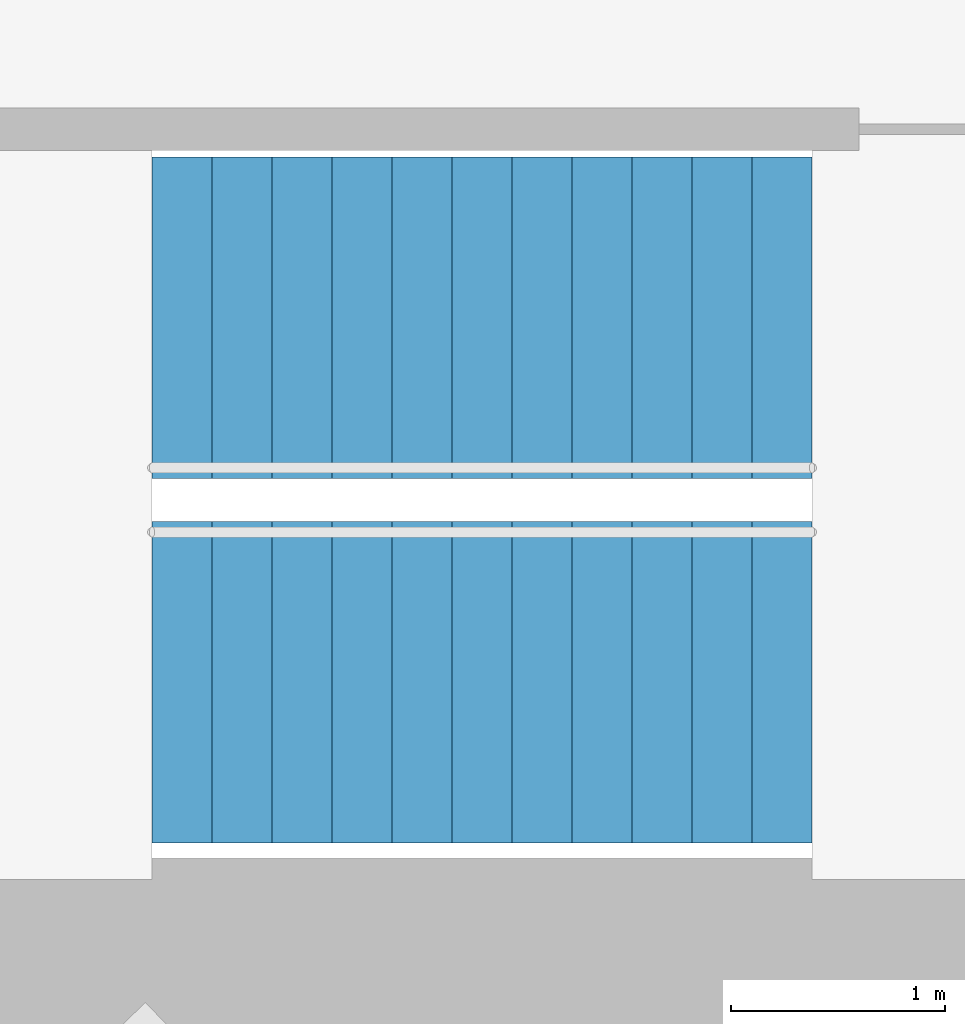
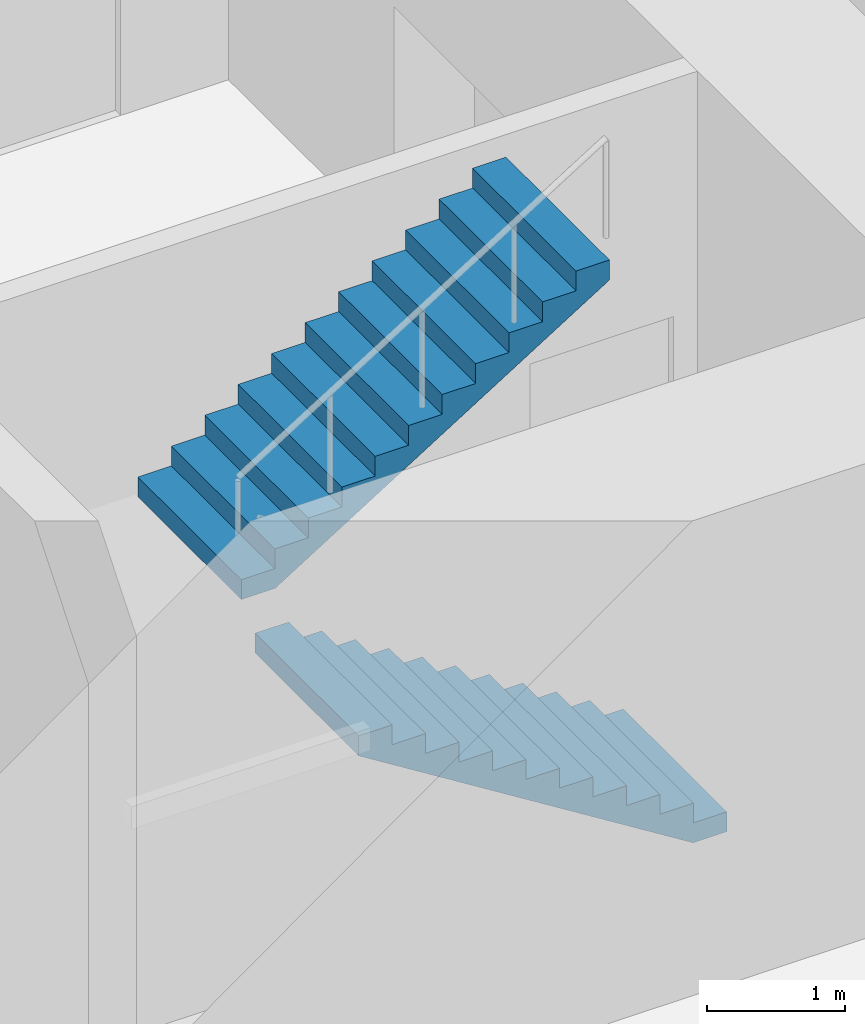
# One storey, part 17 of 18: 2 stair flights, 1 element without a shape of its own.
"""IFC4 building model written with IfcOpenShell, lengths in metres."""

from ifc_helpers import new_model, si_unit, direction, frame, origin, place, context, subcontext, project, spatial, triangles, material, type_object, element, aggregate, save


model = new_model("IFC4")

# Units and contexts
model_context = context("Model", 3, precision=1e-05, world=origin(), true_north=direction((0.0, 1.0)))
body_context = subcontext(model_context, "Body", "Model", "MODEL_VIEW")
ifc_project = project(units=[si_unit("LENGTHUNIT", "METRE"), si_unit("AREAUNIT", "SQUARE_METRE"), si_unit("VOLUMEUNIT", "CUBIC_METRE"), si_unit("PLANEANGLEUNIT", "RADIAN"), si_unit("MASSUNIT", "GRAM", prefix="KILO")], contexts=[model_context])

# Site, building, storey
site_placement = place(None, origin())
site = spatial("IfcSite", under=ifc_project, at=site_placement, CompositionType="ELEMENT")
building_placement = place(site_placement, origin())
building = spatial("IfcBuilding", under=site, at=building_placement, Name="Lantaw Convention Tower", CompositionType="ELEMENT")
storey_placement = place(building_placement, frame((0.0, 0.0, 167.800048828125)))
storey = spatial("IfcBuildingStorey", under=building, at=storey_placement, Name="L39", CompositionType="ELEMENT", Elevation=167.800048828125)

# Stair, stair flights
ifc_material = material(Name="Concrete C35/45", Category="concrete")
stair_type = type_object("IfcStairType", Name="Exit stair 1500 riser 175 in 2 flights", PredefinedType="HALF_TURN_STAIR", material=ifc_material)
stair_placement = place(storey_placement, origin())
stair = element("IfcStair", 1, at=stair_placement, inside=storey, type_object=stair_type, Name="Exit stair S2 L39", PredefinedType="HALF_TURN_STAIR")
stair_flight_type = type_object("IfcStairFlightType", Name="Stair flight 1500 riser 175", PredefinedType="STRAIGHT", material=ifc_material)
stair_flight_1_placement = place(storey_placement, frame((10.580078125, -5.97998046875, 0.0), z_axis=(0.0, 0.0, 1.0), x_axis=(-1.0, 0.0, 0.0)))
stair_flight_1 = element("IfcStairFlight", 2, at=stair_flight_1_placement, type_object=stair_flight_type, Name="S2 flight 1", NumberOfRisers=12, NumberOfTreads=11, PredefinedType="STRAIGHT", RiserHeight=0.175, TreadLength=0.28, context=body_context, shape_type="Tessellation", body=[
    triangles([(0.0, 0.75, 0.0), (0.0, 0.75, 0.175), (0.28, 0.75, 0.0), (0.28, 0.75, 0.175), (0.28, 0.75, 0.35), (0.28283517651771284, 0.75, 0.0), (0.28283517651771284, 0.75, 0.35), (0.56, 0.75, 0.17322801467642948), (0.56, 0.75, 0.35), (0.56, 0.75, 0.5249999999999999), (0.8400000000000001, 0.75, 0.34822801467642944), (0.8400000000000001, 0.75, 0.5249999999999999), (0.8400000000000001, 0.75, 0.7), (1.12, 0.75, 0.5232280146764294), (1.12, 0.75, 0.7), (1.12, 0.75, 0.875), (1.4000000000000001, 0.75, 0.6982280146764295), (1.4000000000000001, 0.75, 0.875), (1.4000000000000001, 0.75, 1.0499999999999998), (1.6800000000000002, 0.75, 0.8732280146764294), (1.6800000000000002, 0.75, 1.0499999999999998), (1.6800000000000002, 0.75, 1.2249999999999999), (1.9600000000000002, 0.75, 1.0482280146764293), (1.9600000000000002, 0.75, 1.2249999999999999), (1.9600000000000002, 0.75, 1.4), (2.24, 0.75, 1.2232280146764294), (2.24, 0.75, 1.4), (2.24, 0.75, 1.575), (2.5200000000000005, 0.75, 1.3982280146764294), (2.5200000000000005, 0.75, 1.575), (2.5200000000000005, 0.75, 1.75), (2.8000000000000003, 0.75, 1.5732280146764293), (2.8000000000000003, 0.75, 1.75), (2.8000000000000003, 0.75, 1.9249999999999998), (3.08, 0.75, 1.7482280146764293), (3.08, 0.75, 1.9249999999999998), (0.0, -0.75, 0.0), (0.0, -0.75, 0.175), (0.28, -0.75, 0.0), (0.28, -0.75, 0.175), (0.28, -0.75, 0.35), (0.28283517651771284, -0.75, 0.0), (0.28283517651771284, -0.75, 0.35), (0.56, -0.75, 0.17322801467642948), (0.56, -0.75, 0.35), (0.56, -0.75, 0.5249999999999999), (0.8400000000000001, -0.75, 0.34822801467642944), (0.8400000000000001, -0.75, 0.5249999999999999), (0.8400000000000001, -0.75, 0.7), (1.12, -0.75, 0.5232280146764294), (1.12, -0.75, 0.7), (1.12, -0.75, 0.875), (1.4000000000000001, -0.75, 0.6982280146764295), (1.4000000000000001, -0.75, 0.875), (1.4000000000000001, -0.75, 1.0499999999999998), (1.6800000000000002, -0.75, 0.8732280146764294), (1.6800000000000002, -0.75, 1.0499999999999998), (1.6800000000000002, -0.75, 1.2249999999999999), (1.9600000000000002, -0.75, 1.0482280146764293), (1.9600000000000002, -0.75, 1.2249999999999999), (1.9600000000000002, -0.75, 1.4), (2.24, -0.75, 1.2232280146764294), (2.24, -0.75, 1.4), (2.24, -0.75, 1.575), (2.5200000000000005, -0.75, 1.3982280146764294), (2.5200000000000005, -0.75, 1.575), (2.5200000000000005, -0.75, 1.75), (2.8000000000000003, -0.75, 1.5732280146764293), (2.8000000000000003, -0.75, 1.75), (2.8000000000000003, -0.75, 1.9249999999999998), (3.08, -0.75, 1.7482280146764293), (3.08, -0.75, 1.9249999999999998), (0.0, 0.15000000000000002, 0.175), (0.0, 0.15000000000000002, 0.0), (0.0, 0.0, 0.175), (0.0, 0.0, 0.0), (0.0, -0.15000000000000002, 0.175), (0.0, -0.15000000000000002, 0.0), (0.28, 0.15000000000000002, 0.35), (0.28, 0.15000000000000002, 0.175), (0.28, 0.0, 0.35), (0.28, 0.0, 0.175), (0.28, -0.15000000000000002, 0.35), (0.28, -0.15000000000000002, 0.175), (0.56, 0.15000000000000002, 0.5249999999999999), (0.56, 0.15000000000000002, 0.35), (0.56, 0.0, 0.5249999999999999), (0.56, 0.0, 0.35), (0.56, -0.15000000000000002, 0.5249999999999999), (0.56, -0.15000000000000002, 0.35), (0.8400000000000001, 0.15000000000000002, 0.7), (0.8400000000000001, 0.15000000000000002, 0.5249999999999999), (0.8400000000000001, 0.0, 0.7), (0.8400000000000001, 0.0, 0.5249999999999999), (0.8400000000000001, -0.15000000000000002, 0.7), (0.8400000000000001, -0.15000000000000002, 0.5249999999999999), (1.12, 0.15000000000000002, 0.875), (1.12, 0.15000000000000002, 0.7), (1.12, 0.0, 0.875), (1.12, 0.0, 0.7), (1.12, -0.15000000000000002, 0.875), (1.12, -0.15000000000000002, 0.7), (1.4000000000000001, 0.15000000000000002, 1.0499999999999998), (1.4000000000000001, 0.15000000000000002, 0.875), (1.4000000000000001, 0.0, 1.0499999999999998), (1.4000000000000001, 0.0, 0.875), (1.4000000000000001, -0.15000000000000002, 1.0499999999999998), (1.4000000000000001, -0.15000000000000002, 0.875), (1.6800000000000002, 0.15000000000000002, 1.2249999999999999), (1.6800000000000002, 0.15000000000000002, 1.0499999999999998), (1.6800000000000002, 0.0, 1.2249999999999999), (1.6800000000000002, 0.0, 1.0499999999999998), (1.6800000000000002, -0.15000000000000002, 1.2249999999999999), (1.6800000000000002, -0.15000000000000002, 1.0499999999999998), (1.9600000000000002, 0.15000000000000002, 1.4), (1.9600000000000002, 0.15000000000000002, 1.2249999999999999), (1.9600000000000002, 0.0, 1.4), (1.9600000000000002, 0.0, 1.2249999999999999), (1.9600000000000002, -0.15000000000000002, 1.4), (1.9600000000000002, -0.15000000000000002, 1.2249999999999999), (2.24, 0.15000000000000002, 1.575), (2.24, 0.15000000000000002, 1.4), (2.24, 0.0, 1.575), (2.24, 0.0, 1.4), (2.24, -0.15000000000000002, 1.575), (2.24, -0.15000000000000002, 1.4), (2.5200000000000005, 0.15000000000000002, 1.75), (2.5200000000000005, 0.15000000000000002, 1.575), (2.5200000000000005, 0.0, 1.75), (2.5200000000000005, 0.0, 1.575), (2.5200000000000005, -0.15000000000000002, 1.75), (2.5200000000000005, -0.15000000000000002, 1.575), (2.8000000000000003, 0.15000000000000002, 1.9249999999999998), (2.8000000000000003, 0.15000000000000002, 1.75), (2.8000000000000003, 0.0, 1.9249999999999998), (2.8000000000000003, 0.0, 1.75), (2.8000000000000003, -0.15000000000000002, 1.9249999999999998), (2.8000000000000003, -0.15000000000000002, 1.75), (0.28283517651771284, 0.15000000000000002, 0.35), (0.28283517651771284, 0.0, 0.35), (0.28283517651771284, -0.15000000000000002, 0.35), (3.08, 0.15000000000000002, 1.9249999999999998), (3.08, 0.0, 1.9249999999999998), (3.08, -0.15000000000000002, 1.9249999999999998), (3.08, 0.15000000000000002, 1.7482280146764293), (3.08, 0.0, 1.7482280146764293), (3.08, -0.15000000000000002, 1.7482280146764293), (2.8000000000000003, 0.15000000000000002, 1.5732280146764293), (2.8000000000000003, 0.0, 1.5732280146764293), (2.8000000000000003, -0.15000000000000002, 1.5732280146764293), (2.5200000000000005, 0.15000000000000002, 1.3982280146764294), (2.5200000000000005, 0.0, 1.3982280146764294), (2.5200000000000005, -0.15000000000000002, 1.3982280146764294), (2.24, 0.15000000000000002, 1.2232280146764294), (2.24, 0.0, 1.2232280146764294), (2.24, -0.15000000000000002, 1.2232280146764294), (1.9600000000000002, 0.15000000000000002, 1.0482280146764293), (1.9600000000000002, 0.0, 1.0482280146764293), (1.9600000000000002, -0.15000000000000002, 1.0482280146764293), (1.6800000000000002, 0.15000000000000002, 0.8732280146764294), (1.6800000000000002, 0.0, 0.8732280146764294), (1.6800000000000002, -0.15000000000000002, 0.8732280146764294), (1.4000000000000001, 0.15000000000000002, 0.6982280146764295), (1.4000000000000001, 0.0, 0.6982280146764295), (1.4000000000000001, -0.15000000000000002, 0.6982280146764295), (1.12, 0.15000000000000002, 0.5232280146764294), (1.12, 0.0, 0.5232280146764294), (1.12, -0.15000000000000002, 0.5232280146764294), (0.8400000000000001, 0.15000000000000002, 0.34822801467642944), (0.8400000000000001, 0.0, 0.34822801467642944), (0.8400000000000001, -0.15000000000000002, 0.34822801467642944), (0.56, 0.15000000000000002, 0.17322801467642948), (0.56, 0.0, 0.17322801467642948), (0.56, -0.15000000000000002, 0.17322801467642948), (0.28283517651771284, 0.15000000000000002, 0.0), (0.28283517651771284, 0.0, 0.0), (0.28283517651771284, -0.15000000000000002, 0.0), (0.28, 0.15000000000000002, 0.0), (0.28, 0.0, 0.0), (0.28, -0.15000000000000002, 0.0)], [[1, 4, 3], [1, 2, 4], [3, 4, 6], [4, 7, 6], [4, 5, 7], [6, 9, 8], [6, 7, 9], [8, 9, 11], [9, 12, 11], [9, 10, 12], [11, 12, 14], [12, 15, 14], [12, 13, 15], [14, 15, 17], [15, 18, 17], [15, 16, 18], [17, 18, 20], [18, 21, 20], [18, 19, 21], [20, 21, 23], [21, 24, 23], [21, 22, 24], [23, 24, 26], [24, 27, 26], [24, 25, 27], [26, 27, 29], [27, 30, 29], [27, 28, 30], [29, 30, 32], [30, 33, 32], [30, 31, 33], [32, 33, 35], [33, 36, 35], [33, 34, 36], [37, 39, 40], [37, 40, 38], [39, 42, 40], [40, 42, 43], [40, 43, 41], [42, 44, 45], [42, 45, 43], [44, 47, 45], [45, 47, 48], [45, 48, 46], [47, 50, 48], [48, 50, 51], [48, 51, 49], [50, 53, 51], [51, 53, 54], [51, 54, 52], [53, 56, 54], [54, 56, 57], [54, 57, 55], [56, 59, 57], [57, 59, 60], [57, 60, 58], [59, 62, 60], [60, 62, 63], [60, 63, 61], [62, 65, 63], [63, 65, 66], [63, 66, 64], [65, 68, 66], [66, 68, 69], [66, 69, 67], [68, 71, 69], [69, 71, 72], [69, 72, 70], [1, 73, 2], [1, 74, 73], [74, 75, 73], [74, 76, 75], [76, 77, 75], [76, 78, 77], [78, 38, 77], [78, 37, 38], [4, 79, 5], [4, 80, 79], [80, 81, 79], [80, 82, 81], [82, 83, 81], [82, 84, 83], [84, 41, 83], [84, 40, 41], [9, 85, 10], [9, 86, 85], [86, 87, 85], [86, 88, 87], [88, 89, 87], [88, 90, 89], [90, 46, 89], [90, 45, 46], [12, 91, 13], [12, 92, 91], [92, 93, 91], [92, 94, 93], [94, 95, 93], [94, 96, 95], [96, 49, 95], [96, 48, 49], [15, 97, 16], [15, 98, 97], [98, 99, 97], [98, 100, 99], [100, 101, 99], [100, 102, 101], [102, 52, 101], [102, 51, 52], [18, 103, 19], [18, 104, 103], [104, 105, 103], [104, 106, 105], [106, 107, 105], [106, 108, 107], [108, 55, 107], [108, 54, 55], [21, 109, 22], [21, 110, 109], [110, 111, 109], [110, 112, 111], [112, 113, 111], [112, 114, 113], [114, 58, 113], [114, 57, 58], [24, 115, 25], [24, 116, 115], [116, 117, 115], [116, 118, 117], [118, 119, 117], [118, 120, 119], [120, 61, 119], [120, 60, 61], [27, 121, 28], [27, 122, 121], [122, 123, 121], [122, 124, 123], [124, 125, 123], [124, 126, 125], [126, 64, 125], [126, 63, 64], [30, 127, 31], [30, 128, 127], [128, 129, 127], [128, 130, 129], [130, 131, 129], [130, 132, 131], [132, 67, 131], [132, 66, 67], [33, 133, 34], [33, 134, 133], [134, 135, 133], [134, 136, 135], [136, 137, 135], [136, 138, 137], [138, 70, 137], [138, 69, 70], [2, 80, 4], [2, 73, 80], [73, 82, 80], [73, 75, 82], [75, 84, 82], [75, 77, 84], [77, 40, 84], [77, 38, 40], [5, 139, 7], [5, 79, 139], [79, 140, 139], [79, 81, 140], [81, 141, 140], [81, 83, 141], [83, 43, 141], [83, 41, 43], [7, 86, 9], [7, 139, 86], [139, 88, 86], [139, 140, 88], [140, 90, 88], [140, 141, 90], [141, 45, 90], [141, 43, 45], [10, 92, 12], [10, 85, 92], [85, 94, 92], [85, 87, 94], [87, 96, 94], [87, 89, 96], [89, 48, 96], [89, 46, 48], [13, 98, 15], [13, 91, 98], [91, 100, 98], [91, 93, 100], [93, 102, 100], [93, 95, 102], [95, 51, 102], [95, 49, 51], [16, 104, 18], [16, 97, 104], [97, 106, 104], [97, 99, 106], [99, 108, 106], [99, 101, 108], [101, 54, 108], [101, 52, 54], [19, 110, 21], [19, 103, 110], [103, 112, 110], [103, 105, 112], [105, 114, 112], [105, 107, 114], [107, 57, 114], [107, 55, 57], [22, 116, 24], [22, 109, 116], [109, 118, 116], [109, 111, 118], [111, 120, 118], [111, 113, 120], [113, 60, 120], [113, 58, 60], [25, 122, 27], [25, 115, 122], [115, 124, 122], [115, 117, 124], [117, 126, 124], [117, 119, 126], [119, 63, 126], [119, 61, 63], [28, 128, 30], [28, 121, 128], [121, 130, 128], [121, 123, 130], [123, 132, 130], [123, 125, 132], [125, 66, 132], [125, 64, 66], [31, 134, 33], [31, 127, 134], [127, 136, 134], [127, 129, 136], [129, 138, 136], [129, 131, 138], [131, 69, 138], [131, 67, 69], [34, 142, 36], [34, 133, 142], [133, 143, 142], [133, 135, 143], [135, 144, 143], [135, 137, 144], [137, 72, 144], [137, 70, 72], [36, 145, 35], [36, 142, 145], [142, 146, 145], [142, 143, 146], [143, 147, 146], [143, 144, 147], [144, 71, 147], [144, 72, 71], [35, 148, 32], [35, 145, 148], [145, 149, 148], [145, 146, 149], [146, 150, 149], [146, 147, 150], [147, 68, 150], [147, 71, 68], [32, 151, 29], [32, 148, 151], [148, 152, 151], [148, 149, 152], [149, 153, 152], [149, 150, 153], [150, 65, 153], [150, 68, 65], [29, 154, 26], [29, 151, 154], [151, 155, 154], [151, 152, 155], [152, 156, 155], [152, 153, 156], [153, 62, 156], [153, 65, 62], [26, 157, 23], [26, 154, 157], [154, 158, 157], [154, 155, 158], [155, 159, 158], [155, 156, 159], [156, 59, 159], [156, 62, 59], [23, 160, 20], [23, 157, 160], [157, 161, 160], [157, 158, 161], [158, 162, 161], [158, 159, 162], [159, 56, 162], [159, 59, 56], [20, 163, 17], [20, 160, 163], [160, 164, 163], [160, 161, 164], [161, 165, 164], [161, 162, 165], [162, 53, 165], [162, 56, 53], [17, 166, 14], [17, 163, 166], [163, 167, 166], [163, 164, 167], [164, 168, 167], [164, 165, 168], [165, 50, 168], [165, 53, 50], [14, 169, 11], [14, 166, 169], [166, 170, 169], [166, 167, 170], [167, 171, 170], [167, 168, 171], [168, 47, 171], [168, 50, 47], [11, 172, 8], [11, 169, 172], [169, 173, 172], [169, 170, 173], [170, 174, 173], [170, 171, 174], [171, 44, 174], [171, 47, 44], [8, 175, 6], [8, 172, 175], [172, 176, 175], [172, 173, 176], [173, 177, 176], [173, 174, 177], [174, 42, 177], [174, 44, 42], [6, 178, 3], [6, 175, 178], [175, 179, 178], [175, 176, 179], [176, 180, 179], [176, 177, 180], [177, 39, 180], [177, 42, 39], [3, 74, 1], [3, 178, 74], [178, 76, 74], [178, 179, 76], [179, 78, 76], [179, 180, 78], [180, 37, 78], [180, 39, 37]], closed=True),
])
stair_flight_2_placement = place(storey_placement, frame((7.5, -4.280029296875, 2.099853515625), z_axis=(0.0, 0.0, 1.0), x_axis=(1.0, 0.0, 0.0)))
stair_flight_2 = element("IfcStairFlight", 3, at=stair_flight_2_placement, type_object=stair_flight_type, Name="S2 flight 2", NumberOfRisers=12, NumberOfTreads=11, PredefinedType="STRAIGHT", RiserHeight=0.175, TreadLength=0.28, context=body_context, shape_type="Tessellation", body=[
    triangles([(0.0, 0.75, 0.0), (0.0, 0.75, 0.175), (0.28, 0.75, 0.0), (0.28, 0.75, 0.175), (0.28, 0.75, 0.35), (0.28283517651771284, 0.75, 0.0), (0.28283517651771284, 0.75, 0.35), (0.56, 0.75, 0.17322801467642948), (0.56, 0.75, 0.35), (0.56, 0.75, 0.5249999999999999), (0.8400000000000001, 0.75, 0.34822801467642944), (0.8400000000000001, 0.75, 0.5249999999999999), (0.8400000000000001, 0.75, 0.7), (1.12, 0.75, 0.5232280146764294), (1.12, 0.75, 0.7), (1.12, 0.75, 0.875), (1.4000000000000001, 0.75, 0.6982280146764295), (1.4000000000000001, 0.75, 0.875), (1.4000000000000001, 0.75, 1.0499999999999998), (1.6800000000000002, 0.75, 0.8732280146764294), (1.6800000000000002, 0.75, 1.0499999999999998), (1.6800000000000002, 0.75, 1.2249999999999999), (1.9600000000000002, 0.75, 1.0482280146764293), (1.9600000000000002, 0.75, 1.2249999999999999), (1.9600000000000002, 0.75, 1.4), (2.24, 0.75, 1.2232280146764294), (2.24, 0.75, 1.4), (2.24, 0.75, 1.575), (2.5200000000000005, 0.75, 1.3982280146764294), (2.5200000000000005, 0.75, 1.575), (2.5200000000000005, 0.75, 1.75), (2.8000000000000003, 0.75, 1.5732280146764293), (2.8000000000000003, 0.75, 1.75), (2.8000000000000003, 0.75, 1.9249999999999998), (3.08, 0.75, 1.7482280146764293), (3.08, 0.75, 1.9249999999999998), (0.0, -0.75, 0.0), (0.0, -0.75, 0.175), (0.28, -0.75, 0.0), (0.28, -0.75, 0.175), (0.28, -0.75, 0.35), (0.28283517651771284, -0.75, 0.0), (0.28283517651771284, -0.75, 0.35), (0.56, -0.75, 0.17322801467642948), (0.56, -0.75, 0.35), (0.56, -0.75, 0.5249999999999999), (0.8400000000000001, -0.75, 0.34822801467642944), (0.8400000000000001, -0.75, 0.5249999999999999), (0.8400000000000001, -0.75, 0.7), (1.12, -0.75, 0.5232280146764294), (1.12, -0.75, 0.7), (1.12, -0.75, 0.875), (1.4000000000000001, -0.75, 0.6982280146764295), (1.4000000000000001, -0.75, 0.875), (1.4000000000000001, -0.75, 1.0499999999999998), (1.6800000000000002, -0.75, 0.8732280146764294), (1.6800000000000002, -0.75, 1.0499999999999998), (1.6800000000000002, -0.75, 1.2249999999999999), (1.9600000000000002, -0.75, 1.0482280146764293), (1.9600000000000002, -0.75, 1.2249999999999999), (1.9600000000000002, -0.75, 1.4), (2.24, -0.75, 1.2232280146764294), (2.24, -0.75, 1.4), (2.24, -0.75, 1.575), (2.5200000000000005, -0.75, 1.3982280146764294), (2.5200000000000005, -0.75, 1.575), (2.5200000000000005, -0.75, 1.75), (2.8000000000000003, -0.75, 1.5732280146764293), (2.8000000000000003, -0.75, 1.75), (2.8000000000000003, -0.75, 1.9249999999999998), (3.08, -0.75, 1.7482280146764293), (3.08, -0.75, 1.9249999999999998), (0.0, 0.15000000000000002, 0.175), (0.0, 0.15000000000000002, 0.0), (0.0, 0.0, 0.175), (0.0, 0.0, 0.0), (0.0, -0.15000000000000002, 0.175), (0.0, -0.15000000000000002, 0.0), (0.28, 0.15000000000000002, 0.35), (0.28, 0.15000000000000002, 0.175), (0.28, 0.0, 0.35), (0.28, 0.0, 0.175), (0.28, -0.15000000000000002, 0.35), (0.28, -0.15000000000000002, 0.175), (0.56, 0.15000000000000002, 0.5249999999999999), (0.56, 0.15000000000000002, 0.35), (0.56, 0.0, 0.5249999999999999), (0.56, 0.0, 0.35), (0.56, -0.15000000000000002, 0.5249999999999999), (0.56, -0.15000000000000002, 0.35), (0.8400000000000001, 0.15000000000000002, 0.7), (0.8400000000000001, 0.15000000000000002, 0.5249999999999999), (0.8400000000000001, 0.0, 0.7), (0.8400000000000001, 0.0, 0.5249999999999999), (0.8400000000000001, -0.15000000000000002, 0.7), (0.8400000000000001, -0.15000000000000002, 0.5249999999999999), (1.12, 0.15000000000000002, 0.875), (1.12, 0.15000000000000002, 0.7), (1.12, 0.0, 0.875), (1.12, 0.0, 0.7), (1.12, -0.15000000000000002, 0.875), (1.12, -0.15000000000000002, 0.7), (1.4000000000000001, 0.15000000000000002, 1.0499999999999998), (1.4000000000000001, 0.15000000000000002, 0.875), (1.4000000000000001, 0.0, 1.0499999999999998), (1.4000000000000001, 0.0, 0.875), (1.4000000000000001, -0.15000000000000002, 1.0499999999999998), (1.4000000000000001, -0.15000000000000002, 0.875), (1.6800000000000002, 0.15000000000000002, 1.2249999999999999), (1.6800000000000002, 0.15000000000000002, 1.0499999999999998), (1.6800000000000002, 0.0, 1.2249999999999999), (1.6800000000000002, 0.0, 1.0499999999999998), (1.6800000000000002, -0.15000000000000002, 1.2249999999999999), (1.6800000000000002, -0.15000000000000002, 1.0499999999999998), (1.9600000000000002, 0.15000000000000002, 1.4), (1.9600000000000002, 0.15000000000000002, 1.2249999999999999), (1.9600000000000002, 0.0, 1.4), (1.9600000000000002, 0.0, 1.2249999999999999), (1.9600000000000002, -0.15000000000000002, 1.4), (1.9600000000000002, -0.15000000000000002, 1.2249999999999999), (2.24, 0.15000000000000002, 1.575), (2.24, 0.15000000000000002, 1.4), (2.24, 0.0, 1.575), (2.24, 0.0, 1.4), (2.24, -0.15000000000000002, 1.575), (2.24, -0.15000000000000002, 1.4), (2.5200000000000005, 0.15000000000000002, 1.75), (2.5200000000000005, 0.15000000000000002, 1.575), (2.5200000000000005, 0.0, 1.75), (2.5200000000000005, 0.0, 1.575), (2.5200000000000005, -0.15000000000000002, 1.75), (2.5200000000000005, -0.15000000000000002, 1.575), (2.8000000000000003, 0.15000000000000002, 1.9249999999999998), (2.8000000000000003, 0.15000000000000002, 1.75), (2.8000000000000003, 0.0, 1.9249999999999998), (2.8000000000000003, 0.0, 1.75), (2.8000000000000003, -0.15000000000000002, 1.9249999999999998), (2.8000000000000003, -0.15000000000000002, 1.75), (0.28283517651771284, 0.15000000000000002, 0.35), (0.28283517651771284, 0.0, 0.35), (0.28283517651771284, -0.15000000000000002, 0.35), (3.08, 0.15000000000000002, 1.9249999999999998), (3.08, 0.0, 1.9249999999999998), (3.08, -0.15000000000000002, 1.9249999999999998), (3.08, 0.15000000000000002, 1.7482280146764293), (3.08, 0.0, 1.7482280146764293), (3.08, -0.15000000000000002, 1.7482280146764293), (2.8000000000000003, 0.15000000000000002, 1.5732280146764293), (2.8000000000000003, 0.0, 1.5732280146764293), (2.8000000000000003, -0.15000000000000002, 1.5732280146764293), (2.5200000000000005, 0.15000000000000002, 1.3982280146764294), (2.5200000000000005, 0.0, 1.3982280146764294), (2.5200000000000005, -0.15000000000000002, 1.3982280146764294), (2.24, 0.15000000000000002, 1.2232280146764294), (2.24, 0.0, 1.2232280146764294), (2.24, -0.15000000000000002, 1.2232280146764294), (1.9600000000000002, 0.15000000000000002, 1.0482280146764293), (1.9600000000000002, 0.0, 1.0482280146764293), (1.9600000000000002, -0.15000000000000002, 1.0482280146764293), (1.6800000000000002, 0.15000000000000002, 0.8732280146764294), (1.6800000000000002, 0.0, 0.8732280146764294), (1.6800000000000002, -0.15000000000000002, 0.8732280146764294), (1.4000000000000001, 0.15000000000000002, 0.6982280146764295), (1.4000000000000001, 0.0, 0.6982280146764295), (1.4000000000000001, -0.15000000000000002, 0.6982280146764295), (1.12, 0.15000000000000002, 0.5232280146764294), (1.12, 0.0, 0.5232280146764294), (1.12, -0.15000000000000002, 0.5232280146764294), (0.8400000000000001, 0.15000000000000002, 0.34822801467642944), (0.8400000000000001, 0.0, 0.34822801467642944), (0.8400000000000001, -0.15000000000000002, 0.34822801467642944), (0.56, 0.15000000000000002, 0.17322801467642948), (0.56, 0.0, 0.17322801467642948), (0.56, -0.15000000000000002, 0.17322801467642948), (0.28283517651771284, 0.15000000000000002, 0.0), (0.28283517651771284, 0.0, 0.0), (0.28283517651771284, -0.15000000000000002, 0.0), (0.28, 0.15000000000000002, 0.0), (0.28, 0.0, 0.0), (0.28, -0.15000000000000002, 0.0)], [[1, 4, 3], [1, 2, 4], [3, 4, 6], [4, 7, 6], [4, 5, 7], [6, 9, 8], [6, 7, 9], [8, 9, 11], [9, 12, 11], [9, 10, 12], [11, 12, 14], [12, 15, 14], [12, 13, 15], [14, 15, 17], [15, 18, 17], [15, 16, 18], [17, 18, 20], [18, 21, 20], [18, 19, 21], [20, 21, 23], [21, 24, 23], [21, 22, 24], [23, 24, 26], [24, 27, 26], [24, 25, 27], [26, 27, 29], [27, 30, 29], [27, 28, 30], [29, 30, 32], [30, 33, 32], [30, 31, 33], [32, 33, 35], [33, 36, 35], [33, 34, 36], [37, 39, 40], [37, 40, 38], [39, 42, 40], [40, 42, 43], [40, 43, 41], [42, 44, 45], [42, 45, 43], [44, 47, 45], [45, 47, 48], [45, 48, 46], [47, 50, 48], [48, 50, 51], [48, 51, 49], [50, 53, 51], [51, 53, 54], [51, 54, 52], [53, 56, 54], [54, 56, 57], [54, 57, 55], [56, 59, 57], [57, 59, 60], [57, 60, 58], [59, 62, 60], [60, 62, 63], [60, 63, 61], [62, 65, 63], [63, 65, 66], [63, 66, 64], [65, 68, 66], [66, 68, 69], [66, 69, 67], [68, 71, 69], [69, 71, 72], [69, 72, 70], [1, 73, 2], [1, 74, 73], [74, 75, 73], [74, 76, 75], [76, 77, 75], [76, 78, 77], [78, 38, 77], [78, 37, 38], [4, 79, 5], [4, 80, 79], [80, 81, 79], [80, 82, 81], [82, 83, 81], [82, 84, 83], [84, 41, 83], [84, 40, 41], [9, 85, 10], [9, 86, 85], [86, 87, 85], [86, 88, 87], [88, 89, 87], [88, 90, 89], [90, 46, 89], [90, 45, 46], [12, 91, 13], [12, 92, 91], [92, 93, 91], [92, 94, 93], [94, 95, 93], [94, 96, 95], [96, 49, 95], [96, 48, 49], [15, 97, 16], [15, 98, 97], [98, 99, 97], [98, 100, 99], [100, 101, 99], [100, 102, 101], [102, 52, 101], [102, 51, 52], [18, 103, 19], [18, 104, 103], [104, 105, 103], [104, 106, 105], [106, 107, 105], [106, 108, 107], [108, 55, 107], [108, 54, 55], [21, 109, 22], [21, 110, 109], [110, 111, 109], [110, 112, 111], [112, 113, 111], [112, 114, 113], [114, 58, 113], [114, 57, 58], [24, 115, 25], [24, 116, 115], [116, 117, 115], [116, 118, 117], [118, 119, 117], [118, 120, 119], [120, 61, 119], [120, 60, 61], [27, 121, 28], [27, 122, 121], [122, 123, 121], [122, 124, 123], [124, 125, 123], [124, 126, 125], [126, 64, 125], [126, 63, 64], [30, 127, 31], [30, 128, 127], [128, 129, 127], [128, 130, 129], [130, 131, 129], [130, 132, 131], [132, 67, 131], [132, 66, 67], [33, 133, 34], [33, 134, 133], [134, 135, 133], [134, 136, 135], [136, 137, 135], [136, 138, 137], [138, 70, 137], [138, 69, 70], [2, 80, 4], [2, 73, 80], [73, 82, 80], [73, 75, 82], [75, 84, 82], [75, 77, 84], [77, 40, 84], [77, 38, 40], [5, 139, 7], [5, 79, 139], [79, 140, 139], [79, 81, 140], [81, 141, 140], [81, 83, 141], [83, 43, 141], [83, 41, 43], [7, 86, 9], [7, 139, 86], [139, 88, 86], [139, 140, 88], [140, 90, 88], [140, 141, 90], [141, 45, 90], [141, 43, 45], [10, 92, 12], [10, 85, 92], [85, 94, 92], [85, 87, 94], [87, 96, 94], [87, 89, 96], [89, 48, 96], [89, 46, 48], [13, 98, 15], [13, 91, 98], [91, 100, 98], [91, 93, 100], [93, 102, 100], [93, 95, 102], [95, 51, 102], [95, 49, 51], [16, 104, 18], [16, 97, 104], [97, 106, 104], [97, 99, 106], [99, 108, 106], [99, 101, 108], [101, 54, 108], [101, 52, 54], [19, 110, 21], [19, 103, 110], [103, 112, 110], [103, 105, 112], [105, 114, 112], [105, 107, 114], [107, 57, 114], [107, 55, 57], [22, 116, 24], [22, 109, 116], [109, 118, 116], [109, 111, 118], [111, 120, 118], [111, 113, 120], [113, 60, 120], [113, 58, 60], [25, 122, 27], [25, 115, 122], [115, 124, 122], [115, 117, 124], [117, 126, 124], [117, 119, 126], [119, 63, 126], [119, 61, 63], [28, 128, 30], [28, 121, 128], [121, 130, 128], [121, 123, 130], [123, 132, 130], [123, 125, 132], [125, 66, 132], [125, 64, 66], [31, 134, 33], [31, 127, 134], [127, 136, 134], [127, 129, 136], [129, 138, 136], [129, 131, 138], [131, 69, 138], [131, 67, 69], [34, 142, 36], [34, 133, 142], [133, 143, 142], [133, 135, 143], [135, 144, 143], [135, 137, 144], [137, 72, 144], [137, 70, 72], [36, 145, 35], [36, 142, 145], [142, 146, 145], [142, 143, 146], [143, 147, 146], [143, 144, 147], [144, 71, 147], [144, 72, 71], [35, 148, 32], [35, 145, 148], [145, 149, 148], [145, 146, 149], [146, 150, 149], [146, 147, 150], [147, 68, 150], [147, 71, 68], [32, 151, 29], [32, 148, 151], [148, 152, 151], [148, 149, 152], [149, 153, 152], [149, 150, 153], [150, 65, 153], [150, 68, 65], [29, 154, 26], [29, 151, 154], [151, 155, 154], [151, 152, 155], [152, 156, 155], [152, 153, 156], [153, 62, 156], [153, 65, 62], [26, 157, 23], [26, 154, 157], [154, 158, 157], [154, 155, 158], [155, 159, 158], [155, 156, 159], [156, 59, 159], [156, 62, 59], [23, 160, 20], [23, 157, 160], [157, 161, 160], [157, 158, 161], [158, 162, 161], [158, 159, 162], [159, 56, 162], [159, 59, 56], [20, 163, 17], [20, 160, 163], [160, 164, 163], [160, 161, 164], [161, 165, 164], [161, 162, 165], [162, 53, 165], [162, 56, 53], [17, 166, 14], [17, 163, 166], [163, 167, 166], [163, 164, 167], [164, 168, 167], [164, 165, 168], [165, 50, 168], [165, 53, 50], [14, 169, 11], [14, 166, 169], [166, 170, 169], [166, 167, 170], [167, 171, 170], [167, 168, 171], [168, 47, 171], [168, 50, 47], [11, 172, 8], [11, 169, 172], [169, 173, 172], [169, 170, 173], [170, 174, 173], [170, 171, 174], [171, 44, 174], [171, 47, 44], [8, 175, 6], [8, 172, 175], [172, 176, 175], [172, 173, 176], [173, 177, 176], [173, 174, 177], [174, 42, 177], [174, 44, 42], [6, 178, 3], [6, 175, 178], [175, 179, 178], [175, 176, 179], [176, 180, 179], [176, 177, 180], [177, 39, 180], [177, 42, 39], [3, 74, 1], [3, 178, 74], [178, 76, 74], [178, 179, 76], [179, 78, 76], [179, 180, 78], [180, 37, 78], [180, 39, 37]], closed=True),
])
aggregate(stair, [stair_flight_1, stair_flight_2])

save(model, "model.ifc")
